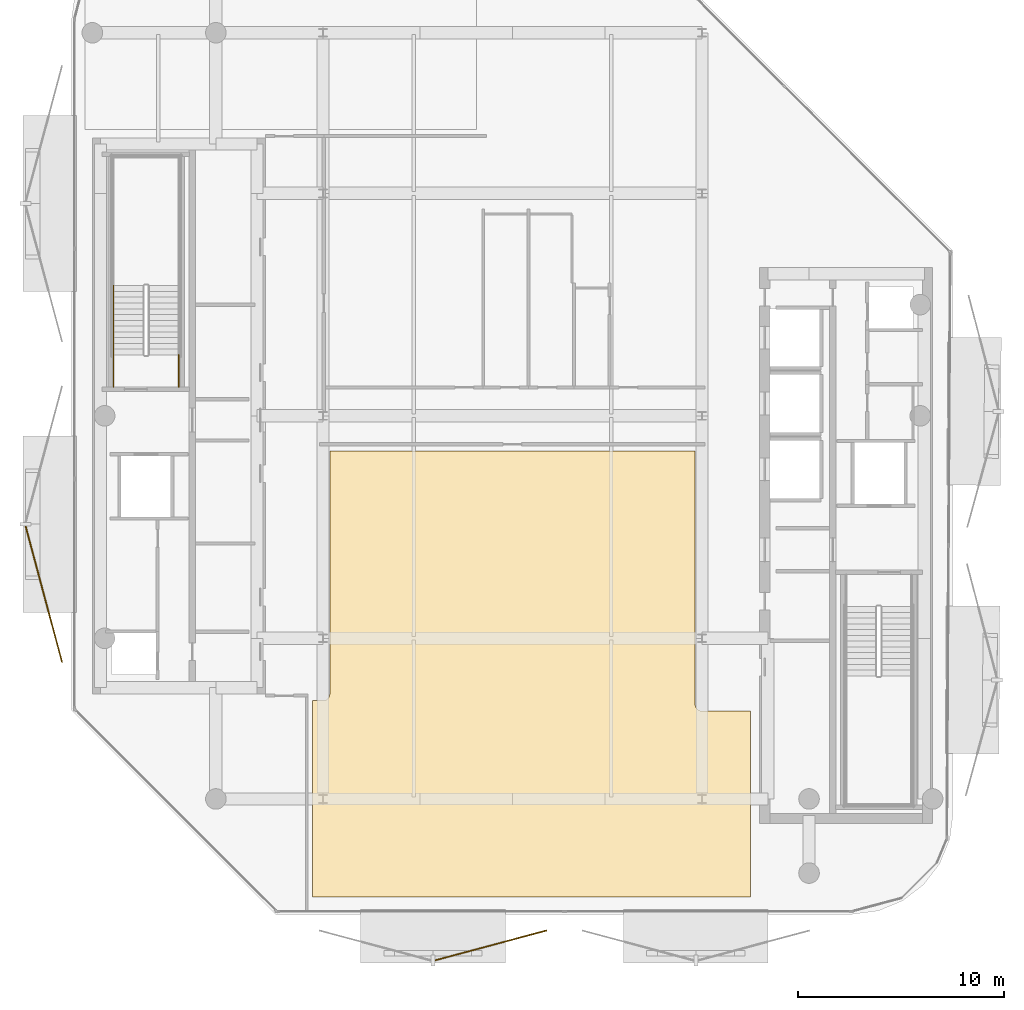
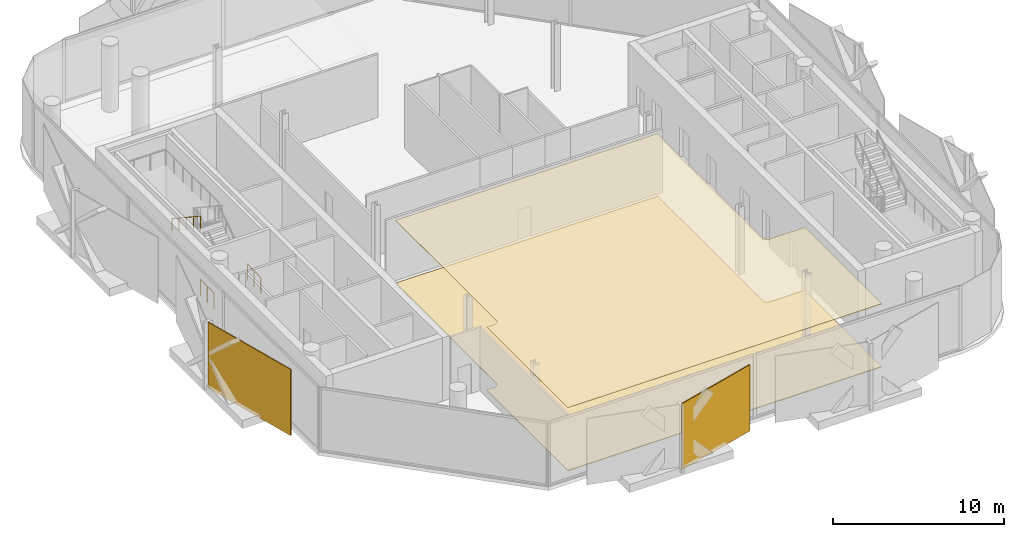
# One storey, part 12 of 15: 4 coverings, 3 railings.
"""IFC4 building model written with IfcOpenShell, lengths in metres."""

from ifc_helpers import new_model, si_unit, direction, frame, origin, origin_2d, place, context, subcontext, project, spatial, polyline, rectangle, circle, outline, extrude, material, layer, layer_set, type_object, element, save


model = new_model("IFC4")

# Units and contexts
model_context = context("Model", 3, precision=1e-05, world=origin(), true_north=direction((0.0, 1.0)))
body_context = subcontext(model_context, "Body", "Model", "MODEL_VIEW")
ifc_project = project(units=[si_unit("LENGTHUNIT", "METRE"), si_unit("AREAUNIT", "SQUARE_METRE"), si_unit("VOLUMEUNIT", "CUBIC_METRE"), si_unit("PLANEANGLEUNIT", "RADIAN"), si_unit("MASSUNIT", "GRAM", prefix="KILO")], contexts=[model_context])

# Site, building, storey
site_placement = place(None, origin())
site = spatial("IfcSite", under=ifc_project, at=site_placement, CompositionType="ELEMENT")
building_placement = place(site_placement, origin())
building = spatial("IfcBuilding", under=site, at=building_placement, Name="Khairoan Windgate Tower", CompositionType="ELEMENT")
storey_placement = place(building_placement, frame((0.0, 0.0, 315.60009765625)))
storey = spatial("IfcBuildingStorey", under=building, at=storey_placement, Name="L76", CompositionType="ELEMENT", Elevation=315.60009765625)

# Coverings
ifc_material_1 = material(Name="Acoustic Mineral Fibre Ceiling", Category="gypsum")
ifc_layer_1 = layer(ifc_material_1, 0.0400390625, Name="Acoustic Mineral Fibre Ceiling")
ifc_layer_set_1 = layer_set([ifc_layer_1], Name="Acoustic Mineral Fibre Ceiling")
covering_type_1 = type_object("IfcCoveringType", Name="Flush Acoustic Mineral Ceiling Panel", PredefinedType="CEILING", material=ifc_layer_set_1)
covering_1_placement = place(storey_placement, frame((0.0, 0.0, 4.5)))
element("IfcCovering", 1, at=covering_1_placement, inside=storey, type_object=covering_type_1, Name="L76 Saigon Horizon Sky Restaurant Acoustic Ceiling", PredefinedType="CEILING", context=body_context, shape_type="SweptSolid", body=[
    extrude(outline(polyline([(-9.699951171875, -13.830078125), (-9.199951171875, -13.830078125), (-9.187255859375, -13.82958984375), (-9.179443359375, -13.829345703125), (-9.1572265625, -13.8271484375), (-9.1494140625, -13.826171875), (-9.123779296875, -13.821044921875), (-9.1162109375, -13.819091796875), (-9.091064453125, -13.8115234375), (-9.083740234375, -13.808837890625), (-9.06396484375, -13.800537109375), (-9.056884765625, -13.79736328125), (-9.03173828125, -13.78369140625), (-9.025146484375, -13.77978515625), (-9.007568359375, -13.76806640625), (-9.001220703125, -13.76318359375), (-8.982421875, -13.747802734375), (-8.9765625, -13.74267578125), (-8.957275390625, -13.723388671875), (-8.9521484375, -13.7177734375), (-8.936767578125, -13.69873046875), (-8.931884765625, -13.6923828125), (-8.92041015625, -13.6748046875), (-8.916259765625, -13.668212890625), (-8.902587890625, -13.64306640625), (-8.8994140625, -13.635986328125), (-8.89111328125, -13.6162109375), (-8.888427734375, -13.60888671875), (-8.880859375, -13.583740234375), (-8.87890625, -13.576171875), (-8.873779296875, -13.550537109375), (-8.872802734375, -13.542724609375), (-8.87060546875, -13.5205078125), (-8.870361328125, -13.5126953125), (-8.8701171875, -13.5), (-8.8701171875, -1.7099609375), (8.8701171875, -1.7099609375), (8.8701171875, -14.0), (8.870361328125, -14.0126953125), (8.87060546875, -14.0205078125), (8.872802734375, -14.042724609375), (8.873779296875, -14.050537109375), (8.87890625, -14.076171875), (8.880859375, -14.083740234375), (8.888427734375, -14.10888671875), (8.89111328125, -14.1162109375), (8.8994140625, -14.135986328125), (8.902587890625, -14.14306640625), (8.916259765625, -14.168212890625), (8.92041015625, -14.1748046875), (8.931884765625, -14.1923828125), (8.936767578125, -14.19873046875), (8.9521484375, -14.2177734375), (8.957275390625, -14.223388671875), (8.9765625, -14.24267578125), (8.982421875, -14.247802734375), (9.001220703125, -14.26318359375), (9.007568359375, -14.26806640625), (9.025146484375, -14.27978515625), (9.03173828125, -14.28369140625), (9.056884765625, -14.29736328125), (9.06396484375, -14.300537109375), (9.083740234375, -14.308837890625), (9.091064453125, -14.3115234375), (9.1162109375, -14.319091796875), (9.123779296875, -14.321044921875), (9.1494140625, -14.326171875), (9.1572265625, -14.3271484375), (9.179443359375, -14.329345703125), (9.187255859375, -14.32958984375), (9.199951171875, -14.330078125), (11.550048828125, -14.330078125), (11.550048828125, -23.35009765625), (-9.699951171875, -23.35009765625), (-9.699951171875, -13.830078125)])), origin(), (0.0, 0.0, 1.0), 0.039794921875),
])
ifc_material_2 = material(Name="Travertine Stone Paving", Category="masonry")
ifc_layer_2 = layer(ifc_material_2, 0.0400390625, Name="Travertine Stone Paving")
ifc_layer_set_2 = layer_set([ifc_layer_2], Name="Travertine Stone Paving")
covering_type_2 = type_object("IfcCoveringType", Name="Honed Travertine Lobby Stone Flooring", PredefinedType="FLOORING", material=ifc_layer_set_2)
covering_2_placement = place(storey_placement, origin())
element("IfcCovering", 2, at=covering_2_placement, inside=storey, type_object=covering_type_2, Name="L76 Saigon Horizon Sky Restaurant Finish Flooring", PredefinedType="FLOORING", context=body_context, shape_type="SweptSolid", body=[
    extrude(outline(polyline([(-9.699951171875, -13.830078125), (-9.199951171875, -13.830078125), (-9.187255859375, -13.82958984375), (-9.179443359375, -13.829345703125), (-9.1572265625, -13.8271484375), (-9.1494140625, -13.826171875), (-9.123779296875, -13.821044921875), (-9.1162109375, -13.819091796875), (-9.091064453125, -13.8115234375), (-9.083740234375, -13.808837890625), (-9.06396484375, -13.800537109375), (-9.056884765625, -13.79736328125), (-9.03173828125, -13.78369140625), (-9.025146484375, -13.77978515625), (-9.007568359375, -13.76806640625), (-9.001220703125, -13.76318359375), (-8.982421875, -13.747802734375), (-8.9765625, -13.74267578125), (-8.957275390625, -13.723388671875), (-8.9521484375, -13.7177734375), (-8.936767578125, -13.69873046875), (-8.931884765625, -13.6923828125), (-8.92041015625, -13.6748046875), (-8.916259765625, -13.668212890625), (-8.902587890625, -13.64306640625), (-8.8994140625, -13.635986328125), (-8.89111328125, -13.6162109375), (-8.888427734375, -13.60888671875), (-8.880859375, -13.583740234375), (-8.87890625, -13.576171875), (-8.873779296875, -13.550537109375), (-8.872802734375, -13.542724609375), (-8.87060546875, -13.5205078125), (-8.870361328125, -13.5126953125), (-8.8701171875, -13.5), (-8.8701171875, -1.7099609375), (8.8701171875, -1.7099609375), (8.8701171875, -14.0), (8.870361328125, -14.0126953125), (8.87060546875, -14.0205078125), (8.872802734375, -14.042724609375), (8.873779296875, -14.050537109375), (8.87890625, -14.076171875), (8.880859375, -14.083740234375), (8.888427734375, -14.10888671875), (8.89111328125, -14.1162109375), (8.8994140625, -14.135986328125), (8.902587890625, -14.14306640625), (8.916259765625, -14.168212890625), (8.92041015625, -14.1748046875), (8.931884765625, -14.1923828125), (8.936767578125, -14.19873046875), (8.9521484375, -14.2177734375), (8.957275390625, -14.223388671875), (8.9765625, -14.24267578125), (8.982421875, -14.247802734375), (9.001220703125, -14.26318359375), (9.007568359375, -14.26806640625), (9.025146484375, -14.27978515625), (9.03173828125, -14.28369140625), (9.056884765625, -14.29736328125), (9.06396484375, -14.300537109375), (9.083740234375, -14.308837890625), (9.091064453125, -14.3115234375), (9.1162109375, -14.319091796875), (9.123779296875, -14.321044921875), (9.1494140625, -14.326171875), (9.1572265625, -14.3271484375), (9.179443359375, -14.329345703125), (9.187255859375, -14.32958984375), (9.199951171875, -14.330078125), (11.550048828125, -14.330078125), (11.550048828125, -23.35009765625), (-9.699951171875, -23.35009765625), (-9.699951171875, -13.830078125)])), origin(), (0.0, 0.0, 1.0), 0.039794921875),
])
ifc_material_3 = material(Name="Anodised Bronze Aluminium 6063-T6", Category="aluminium")
ifc_layer_3 = layer(ifc_material_3, 0.054931640625, Name="Anodised Bronze Aluminium 6063-T6")
ifc_layer_set_3 = layer_set([ifc_layer_3], Name="Anodised Bronze Aluminium 6063-T6")
covering_type_3 = type_object("IfcCoveringType", Name="Perforated Bronze-Ceramic Folded Solar Screen Cladding BSC-1", PredefinedType="CLADDING", material=ifc_layer_set_3)
covering_3_placement = place(storey_placement, frame((-1.055908203125, -25.713134765625, -0.10009765625), z_axis=(0.0, 0.0, 1.0), x_axis=(-0.965925826289, -0.258819045103, 0.0)))
element("IfcCovering", 3, at=covering_3_placement, inside=storey, type_object=covering_type_3, Name="L76 Folded Bronze Solar Screen Facet 535L", PredefinedType="CLADDING", context=body_context, shape_type="SweptSolid", body=[
    extrude(rectangle(XDim=5.616943359375, YDim=0.054931640625, at=origin_2d()), origin(), (0.0, 0.0, 1.0), 4.739990234375),
])
covering_4_placement = place(storey_placement, frame((-22.753662109375, -8.656494140625, -0.10009765625), z_axis=(0.0, 0.0, 1.0), x_axis=(-0.258819045103, 0.965925826289, 0.0)))
element("IfcCovering", 4, at=covering_4_placement, inside=storey, type_object=covering_type_3, Name="L76 Folded Bronze Solar Screen Facet 536L", PredefinedType="CLADDING", context=body_context, shape_type="SweptSolid", body=[
    extrude(rectangle(XDim=6.84912109375, YDim=0.054931640625, at=origin_2d()), origin(), (0.0, 0.0, 1.0), 4.739990234375),
])

# Railings
ifc_material_4 = material(Name="Anodised Bronze Aluminium 6063-T6", Category="aluminium")
railing_type_1 = type_object("IfcRailingType", Name="Stair Wall Handrail SHR-900", PredefinedType="HANDRAIL", material=ifc_material_4)
railing_placement = place(storey_placement, frame((-19.3701171875, 6.320068359375, 2.58447265625)))
element("IfcRailing", 5, at=railing_placement, inside=storey, type_object=railing_type_1, Name="L76 ST2 stair handrail 2", PredefinedType="HANDRAIL", context=body_context, shape_type="SweptSolid", body=[
    extrude(circle(Radius=0.02392578125, at=origin_2d()), frame((0.0, 0.0, 0.8759765625), z_axis=(0.0, -0.834876476806, 0.550437342915), x_axis=(1.0, 0.0, 0.0)), (0.0, 0.0, 1.0), 4.024658203125),
    extrude(circle(Radius=0.02099609375, at=origin_2d()), origin(), (0.0, 0.0, 1.0), 0.851806640625),
    extrude(circle(Radius=0.02099609375, at=origin_2d()), frame((0.0, -0.840087890625, 0.5537109375)), (0.0, 0.0, 1.0), 0.851806640625),
    extrude(circle(Radius=0.02099609375, at=origin_2d()), frame((0.0, -1.68017578125, 1.107666015625)), (0.0, 0.0, 1.0), 0.851806640625),
    extrude(circle(Radius=0.02099609375, at=origin_2d()), frame((0.0, -2.52001953125, 1.66162109375)), (0.0, 0.0, 1.0), 0.851806640625),
    extrude(circle(Radius=0.02099609375, at=origin_2d()), frame((0.0, -3.360107421875, 2.21533203125)), (0.0, 0.0, 1.0), 0.851806640625),
])
ifc_material_5 = material(Name="Steel S355", Category="steel")
railing_type_2 = type_object("IfcRailingType", Name="Stairwell Safety Guardrail SGR-1150", PredefinedType="GUARDRAIL", material=ifc_material_5)
for number, where, name in (
    (6, (-16.199951171875, 1.39990234375, 0.0), "L76 ST2 stair guard 8"),
    (7, (-19.3701171875, 1.39990234375, 0.0), "L76 ST2 stair guard 9"),
):
    element("IfcRailing", number, at=place(storey_placement, frame(where)), inside=storey, type_object=railing_type_2, Name=name, PredefinedType="GUARDRAIL", context=body_context, shape_type="SweptSolid", body=[
        extrude(circle(Radius=0.02392578125, at=origin_2d()), frame((0.0, 0.0, 1.1259765625), z_axis=(0.0, 1.0, 0.0), x_axis=(-1.0, 0.0, 0.0)), (0.0, 0.0, 1.0), 1.56005859375),
        extrude(circle(Radius=0.02099609375, at=origin_2d()), origin(), (0.0, 0.0, 1.0), 1.101806640625),
        extrude(circle(Radius=0.02099609375, at=origin_2d()), frame((0.0, 0.780029296875, 0.0)), (0.0, 0.0, 1.0), 1.101806640625),
        extrude(circle(Radius=0.02099609375, at=origin_2d()), frame((0.0, 1.56005859375, 0.0)), (0.0, 0.0, 1.0), 1.101806640625),
    ])

save(model, "model.ifc")
